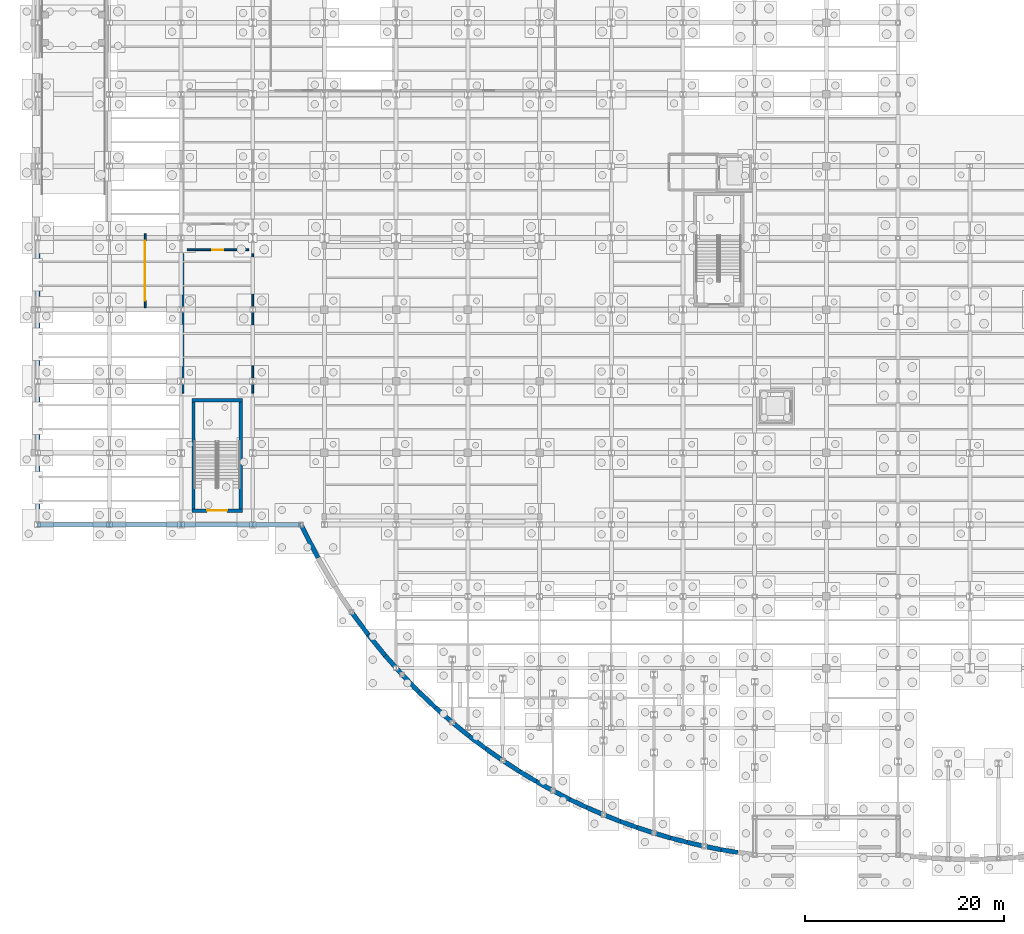
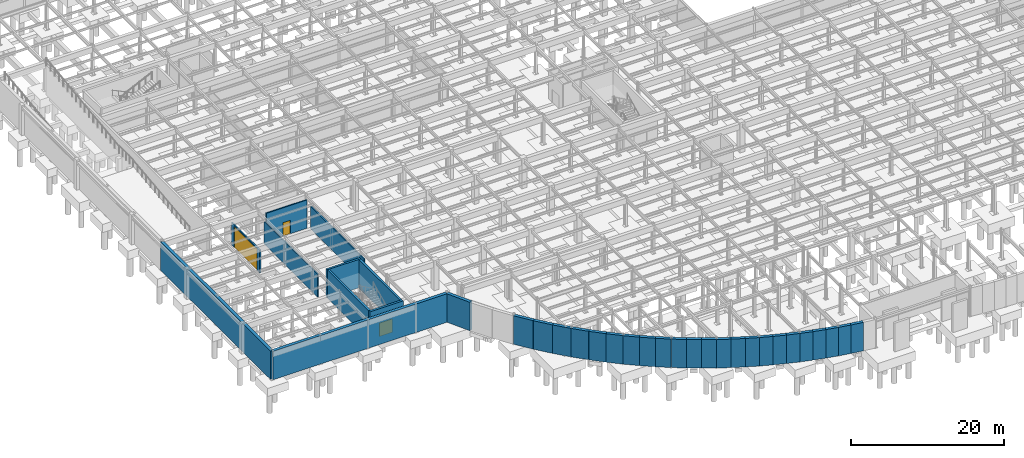
# One storey, part 45 of 64: 34 walls, 3 doors, 3 openings.
"""IFC4 building model written with IfcOpenShell, lengths in metres."""

from ifc_helpers import new_model, si_unit, direction, frame, frame_2d, origin, place, context, subcontext, project, spatial, rectangle, extrude, material, layer, layer_set, type_object, element, fill, save


model = new_model("IFC4")

# Units and contexts
model_context = context("Model", 3, precision=1e-05, world=origin(), true_north=direction((0.0, 1.0)))
body_context = subcontext(model_context, "Body", "Model", "MODEL_VIEW")
ifc_project = project(units=[si_unit("LENGTHUNIT", "METRE"), si_unit("AREAUNIT", "SQUARE_METRE"), si_unit("VOLUMEUNIT", "CUBIC_METRE"), si_unit("PLANEANGLEUNIT", "RADIAN"), si_unit("MASSUNIT", "GRAM", prefix="KILO")], contexts=[model_context])

# Site, building, storey
site_placement = place(None, origin())
site = spatial("IfcSite", under=ifc_project, at=site_placement, CompositionType="ELEMENT")
building_placement = place(site_placement, origin())
building = spatial("IfcBuilding", under=site, at=building_placement, Name="Solvadek Multi-Sports Hall", CompositionType="ELEMENT")
storey_placement = place(building_placement, frame((0.0, 0.0, -4.800048828125)))
storey = spatial("IfcBuildingStorey", under=building, at=storey_placement, Name="B1", CompositionType="ELEMENT", Elevation=-4.800048828125)

# Walls
ifc_material_1 = material(Name="Concrete M40", Category="concrete")
ifc_layer_1 = layer(ifc_material_1, 0.449951171875, Name="Concrete M40")
ifc_layer_set_1 = layer_set([ifc_layer_1], Name="Concrete M40")
wall_type_1 = type_object("IfcWallType", Name="ENV-WAL-RET450", PredefinedType="USERDEFINED", material=ifc_layer_set_1)
wall_1_placement = place(storey_placement, frame((0.0, 20.39990234375, 0.0), z_axis=(0.0, 0.0, 1.0), x_axis=(1.0, 0.0, 0.0)))
element("IfcWall", 1, at=wall_1_placement, inside=storey, type_object=wall_type_1, Name="B1 Basement Retaining Wall #1", ObjectType="RETAININGWALL", PredefinedType="USERDEFINED", context=body_context, shape_type="SweptSolid", body=[
    extrude(rectangle(XDim=26.45458984375, YDim=0.449951171875, at=frame_2d((13.227294921875, 0.0))), origin(), (0.0, 0.0, 1.0), 4.550048828125),
])
wall_2_placement = place(storey_placement, frame((26.45458984375, 20.39990234375, 0.0), z_axis=(0.0, 0.0, 1.0), x_axis=(0.451573699141, -0.89223382263, 0.0)))
element("IfcWall", 2, at=wall_2_placement, inside=storey, type_object=wall_type_1, Name="B1 Basement Retaining Wall #2", ObjectType="RETAININGWALL", PredefinedType="USERDEFINED", context=body_context, shape_type="SweptSolid", body=[
    extrude(rectangle(XDim=3.73583984375, YDim=0.449951171875, at=frame_2d((1.867919921875, 0.0))), origin(), (0.0, 0.0, 1.0), 4.550048828125),
])
wall_3_placement = place(storey_placement, frame((31.51513671875, 11.63232421875, 0.0), z_axis=(0.0, 0.0, 1.0), x_axis=(0.593193181421, -0.805060152731, 0.0)))
element("IfcWall", 3, at=wall_3_placement, inside=storey, type_object=wall_type_1, Name="B1 Basement Retaining Wall #5", ObjectType="RETAININGWALL", PredefinedType="USERDEFINED", context=body_context, shape_type="SweptSolid", body=[
    extrude(rectangle(XDim=2.843994140625, YDim=0.449951171875, at=frame_2d((1.421875, 0.0))), origin(), (0.0, 0.0, 1.0), 4.550048828125),
])
wall_4_placement = place(storey_placement, frame((33.2021484375, 9.3427734375, 0.0), z_axis=(0.0, 0.0, 1.0), x_axis=(0.630654478809, -0.776063739881, 0.0)))
element("IfcWall", 4, at=wall_4_placement, inside=storey, type_object=wall_type_1, Name="B1 Basement Retaining Wall #6", ObjectType="RETAININGWALL", PredefinedType="USERDEFINED", context=body_context, shape_type="SweptSolid", body=[
    extrude(rectangle(XDim=2.674560546875, YDim=0.449951171875, at=frame_2d((1.33740234375, 0.0))), origin(), (0.0, 0.0, 1.0), 4.550048828125),
])
wall_5_placement = place(storey_placement, frame((34.888916015625, 7.26708984375, 0.0), z_axis=(0.0, 0.0, 1.0), x_axis=(0.664775819828, -0.747042909994, 0.0)))
element("IfcWall", 5, at=wall_5_placement, inside=storey, type_object=wall_type_1, Name="B1 Basement Retaining Wall #7", ObjectType="RETAININGWALL", PredefinedType="USERDEFINED", context=body_context, shape_type="SweptSolid", body=[
    extrude(rectangle(XDim=2.537353515625, YDim=0.449951171875, at=frame_2d((1.2685546875, 0.0))), origin(), (0.0, 0.0, 1.0), 4.550048828125),
])
wall_6_placement = place(storey_placement, frame((36.57568359375, 5.37158203125, 0.0), z_axis=(0.0, 0.0, 1.0), x_axis=(0.695991661867, -0.718049863597, 0.0)))
element("IfcWall", 6, at=wall_6_placement, inside=storey, type_object=wall_type_1, Name="B1 Basement Retaining Wall #8", ObjectType="RETAININGWALL", PredefinedType="USERDEFINED", context=body_context, shape_type="SweptSolid", body=[
    extrude(rectangle(XDim=2.423828125, YDim=0.449951171875, at=frame_2d((1.2119140625, 0.0))), origin(), (0.0, 0.0, 1.0), 4.550048828125),
])
wall_7_placement = place(storey_placement, frame((38.2626953125, 3.631103515625, 0.0), z_axis=(0.0, 0.0, 1.0), x_axis=(0.724766292357, -0.688994790592, 0.0)))
element("IfcWall", 7, at=wall_7_placement, inside=storey, type_object=wall_type_1, Name="B1 Basement Retaining Wall #9", ObjectType="RETAININGWALL", PredefinedType="USERDEFINED", context=body_context, shape_type="SweptSolid", body=[
    extrude(rectangle(XDim=2.327392578125, YDim=0.449951171875, at=frame_2d((1.16357421875, 0.0))), origin(), (0.0, 0.0, 1.0), 4.550048828125),
])
wall_8_placement = place(storey_placement, frame((39.949462890625, 2.027587890625, 0.0), z_axis=(0.0, 0.0, 1.0), x_axis=(0.751241671966, -0.660027234516, 0.0)))
element("IfcWall", 8, at=wall_8_placement, inside=storey, type_object=wall_type_1, Name="B1 Basement Retaining Wall #10", ObjectType="RETAININGWALL", PredefinedType="USERDEFINED", context=body_context, shape_type="SweptSolid", body=[
    extrude(rectangle(XDim=2.24560546875, YDim=0.449951171875, at=frame_2d((1.122802734375, 0.0))), origin(), (0.0, 0.0, 1.0), 4.550048828125),
])
wall_9_placement = place(storey_placement, frame((41.636474609375, 0.54541015625, 0.0), z_axis=(0.0, 0.0, 1.0), x_axis=(0.77570515761, -0.631095482837, 0.0)))
element("IfcWall", 9, at=wall_9_placement, inside=storey, type_object=wall_type_1, Name="B1 Basement Retaining Wall #11", ObjectType="RETAININGWALL", PredefinedType="USERDEFINED", context=body_context, shape_type="SweptSolid", body=[
    extrude(rectangle(XDim=2.174560546875, YDim=0.449951171875, at=frame_2d((1.08740234375, 0.0))), origin(), (0.0, 0.0, 1.0), 4.550048828125),
])
wall_10_placement = place(storey_placement, frame((43.3232421875, -0.826904296875, 0.0), z_axis=(0.0, 0.0, 1.0), x_axis=(0.798485781361, -0.60201366842, 0.0)))
element("IfcWall", 10, at=wall_10_placement, inside=storey, type_object=wall_type_1, Name="B1 Basement Retaining Wall #12", ObjectType="RETAININGWALL", PredefinedType="USERDEFINED", context=body_context, shape_type="SweptSolid", body=[
    extrude(rectangle(XDim=2.112548828125, YDim=0.449951171875, at=frame_2d((1.05615234375, 0.0))), origin(), (0.0, 0.0, 1.0), 4.550048828125),
])
wall_11_placement = place(storey_placement, frame((45.010009765625, -2.0986328125, 0.0), z_axis=(0.0, 0.0, 1.0), x_axis=(0.819510409155, -0.57306429769, 0.0)))
element("IfcWall", 11, at=wall_11_placement, inside=storey, type_object=wall_type_1, Name="B1 Basement Retaining Wall #13", ObjectType="RETAININGWALL", PredefinedType="USERDEFINED", context=body_context, shape_type="SweptSolid", body=[
    extrude(rectangle(XDim=2.05859375, YDim=0.449951171875, at=frame_2d((1.029296875, 0.0))), origin(), (0.0, 0.0, 1.0), 4.550048828125),
])
wall_12_placement = place(storey_placement, frame((46.697021484375, -3.2783203125, 0.0), z_axis=(0.0, 0.0, 1.0), x_axis=(0.839045194029, -0.544061726624, 0.0)))
element("IfcWall", 12, at=wall_12_placement, inside=storey, type_object=wall_type_1, Name="B1 Basement Retaining Wall #14", ObjectType="RETAININGWALL", PredefinedType="USERDEFINED", context=body_context, shape_type="SweptSolid", body=[
    extrude(rectangle(XDim=2.01025390625, YDim=0.449951171875, at=frame_2d((1.005126953125, 0.0))), origin(), (0.0, 0.0, 1.0), 4.550048828125),
])
wall_13_placement = place(storey_placement, frame((48.3837890625, -4.3720703125, 0.0), z_axis=(0.0, 0.0, 1.0), x_axis=(0.857164391515, -0.51504291658, 0.0)))
element("IfcWall", 13, at=wall_13_placement, inside=storey, type_object=wall_type_1, Name="B1 Basement Retaining Wall #15", ObjectType="RETAININGWALL", PredefinedType="USERDEFINED", context=body_context, shape_type="SweptSolid", body=[
    extrude(rectangle(XDim=1.968017578125, YDim=0.449951171875, at=frame_2d((0.98388671875, 0.0))), origin(), (0.0, 0.0, 1.0), 4.550048828125),
])
wall_14_placement = place(storey_placement, frame((50.07080078125, -5.3857421875, 0.0), z_axis=(0.0, 0.0, 1.0), x_axis=(0.873906570034, -0.486093928013, 0.0)))
element("IfcWall", 14, at=wall_14_placement, inside=storey, type_object=wall_type_1, Name="B1 Basement Retaining Wall #16", ObjectType="RETAININGWALL", PredefinedType="USERDEFINED", context=body_context, shape_type="SweptSolid", body=[
    extrude(rectangle(XDim=1.93017578125, YDim=0.449951171875, at=frame_2d((0.965087890625, 0.0))), origin(), (0.0, 0.0, 1.0), 4.550048828125),
])
wall_15_placement = place(storey_placement, frame((51.757568359375, -6.323974609375, 0.0), z_axis=(0.0, 0.0, 1.0), x_axis=(0.88942985425, -0.457071694999, 0.0)))
element("IfcWall", 15, at=wall_15_placement, inside=storey, type_object=wall_type_1, Name="B1 Basement Retaining Wall #17", ObjectType="RETAININGWALL", PredefinedType="USERDEFINED", context=body_context, shape_type="SweptSolid", body=[
    extrude(rectangle(XDim=1.896728515625, YDim=0.449951171875, at=frame_2d((0.9482421875, 0.0))), origin(), (0.0, 0.0, 1.0), 4.550048828125),
])
wall_16_placement = place(storey_placement, frame((53.444580078125, -7.19091796875, 0.0), z_axis=(0.0, 0.0, 1.0), x_axis=(0.903721857737, -0.428120081108, 0.0)))
element("IfcWall", 16, at=wall_16_placement, inside=storey, type_object=wall_type_1, Name="B1 Basement Retaining Wall #18", ObjectType="RETAININGWALL", PredefinedType="USERDEFINED", context=body_context, shape_type="SweptSolid", body=[
    extrude(rectangle(XDim=1.866455078125, YDim=0.449951171875, at=frame_2d((0.93310546875, 0.0))), origin(), (0.0, 0.0, 1.0), 4.550048828125),
])
wall_17_placement = place(storey_placement, frame((55.13134765625, -7.989990234375, 0.0), z_axis=(0.0, 0.0, 1.0), x_axis=(0.916920187309, -0.399070632977, 0.0)))
element("IfcWall", 17, at=wall_17_placement, inside=storey, type_object=wall_type_1, Name="B1 Basement Retaining Wall #19", ObjectType="RETAININGWALL", PredefinedType="USERDEFINED", context=body_context, shape_type="SweptSolid", body=[
    extrude(rectangle(XDim=1.839599609375, YDim=0.449951171875, at=frame_2d((0.919921875, 0.0))), origin(), (0.0, 0.0, 1.0), 4.550048828125),
])
wall_18_placement = place(storey_placement, frame((56.818115234375, -8.72412109375, 0.0), z_axis=(0.0, 0.0, 1.0), x_axis=(0.92898576341, -0.370115456826, 0.0)))
element("IfcWall", 18, at=wall_18_placement, inside=storey, type_object=wall_type_1, Name="B1 Basement Retaining Wall #20", ObjectType="RETAININGWALL", PredefinedType="USERDEFINED", context=body_context, shape_type="SweptSolid", body=[
    extrude(rectangle(XDim=1.81591796875, YDim=0.449951171875, at=frame_2d((0.907958984375, 0.0))), origin(), (0.0, 0.0, 1.0), 4.550048828125),
])
wall_19_placement = place(storey_placement, frame((58.505126953125, -9.396240234375, 0.0), z_axis=(0.0, 0.0, 1.0), x_axis=(0.939983948766, -0.341218663121, 0.0)))
element("IfcWall", 19, at=wall_19_placement, inside=storey, type_object=wall_type_1, Name="B1 Basement Retaining Wall #21", ObjectType="RETAININGWALL", PredefinedType="USERDEFINED", context=body_context, shape_type="SweptSolid", body=[
    extrude(rectangle(XDim=1.79443359375, YDim=0.449951171875, at=frame_2d((0.897216796875, 0.0))), origin(), (0.0, 0.0, 1.0), 4.550048828125),
])
wall_20_placement = place(storey_placement, frame((60.19189453125, -10.008544921875, 0.0), z_axis=(0.0, 0.0, 1.0), x_axis=(0.950049221752, -0.312100106133, 0.0)))
element("IfcWall", 20, at=wall_20_placement, inside=storey, type_object=wall_type_1, Name="B1 Basement Retaining Wall #22", ObjectType="RETAININGWALL", PredefinedType="USERDEFINED", context=body_context, shape_type="SweptSolid", body=[
    extrude(rectangle(XDim=1.775634765625, YDim=0.449951171875, at=frame_2d((0.8876953125, 0.0))), origin(), (0.0, 0.0, 1.0), 4.550048828125),
])
wall_21_placement = place(storey_placement, frame((61.87890625, -10.562744140625, 0.0), z_axis=(0.0, 0.0, 1.0), x_axis=(0.959066558996, -0.283180746903, 0.0)))
element("IfcWall", 21, at=wall_21_placement, inside=storey, type_object=wall_type_1, Name="B1 Basement Retaining Wall #23", ObjectType="RETAININGWALL", PredefinedType="USERDEFINED", context=body_context, shape_type="SweptSolid", body=[
    extrude(rectangle(XDim=1.7587890625, YDim=0.449951171875, at=frame_2d((0.87939453125, 0.0))), origin(), (0.0, 0.0, 1.0), 4.550048828125),
])
wall_22_placement = place(storey_placement, frame((63.565673828125, -11.060791015625, 0.0), z_axis=(0.0, 0.0, 1.0), x_axis=(0.967183248543, -0.254079837329, 0.0)))
element("IfcWall", 22, at=wall_22_placement, inside=storey, type_object=wall_type_1, Name="B1 Basement Retaining Wall #24", ObjectType="RETAININGWALL", PredefinedType="USERDEFINED", context=body_context, shape_type="SweptSolid", body=[
    extrude(rectangle(XDim=1.743896484375, YDim=0.449951171875, at=frame_2d((0.8720703125, 0.0))), origin(), (0.0, 0.0, 1.0), 4.550048828125),
])
wall_23_placement = place(storey_placement, frame((65.25244140625, -11.50390625, 0.0), z_axis=(0.0, 0.0, 1.0), x_axis=(0.974317474296, -0.225178727417, 0.0)))
element("IfcWall", 23, at=wall_23_placement, inside=storey, type_object=wall_type_1, Name="B1 Basement Retaining Wall #25", ObjectType="RETAININGWALL", PredefinedType="USERDEFINED", context=body_context, shape_type="SweptSolid", body=[
    extrude(rectangle(XDim=1.7314453125, YDim=0.449951171875, at=frame_2d((0.86572265625, 0.0))), origin(), (0.0, 0.0, 1.0), 4.550048828125),
])
wall_24_placement = place(storey_placement, frame((66.939453125, -11.893798828125, 0.0), z_axis=(0.0, 0.0, 1.0), x_axis=(0.980547910492, -0.196279890029, 0.0)))
element("IfcWall", 24, at=wall_24_placement, inside=storey, type_object=wall_type_1, Name="B1 Basement Retaining Wall #26", ObjectType="RETAININGWALL", PredefinedType="USERDEFINED", context=body_context, shape_type="SweptSolid", body=[
    extrude(rectangle(XDim=1.72021484375, YDim=0.449951171875, at=frame_2d((0.860107421875, 0.0))), origin(), (0.0, 0.0, 1.0), 4.550048828125),
])
wall_25_placement = place(storey_placement, frame((68.626220703125, -12.2314453125, 0.0), z_axis=(0.0, 0.0, 1.0), x_axis=(0.985915435639, -0.167244592643, 0.0)))
element("IfcWall", 25, at=wall_25_placement, inside=storey, type_object=wall_type_1, Name="B1 Basement Retaining Wall #27", ObjectType="RETAININGWALL", PredefinedType="USERDEFINED", context=body_context, shape_type="SweptSolid", body=[
    extrude(rectangle(XDim=1.7109375, YDim=0.449951171875, at=frame_2d((0.85546875, 0.0))), origin(), (0.0, 0.0, 1.0), 4.550048828125),
])
wall_26_placement = place(storey_placement, frame((0.0, 49.199951171875, 0.0), z_axis=(0.0, 0.0, 1.0), x_axis=(0.0, -1.0, 0.0)))
element("IfcWall", 26, at=wall_26_placement, inside=storey, type_object=wall_type_1, Name="B1 Basement Retaining Wall #70", ObjectType="RETAININGWALL", PredefinedType="USERDEFINED", context=body_context, shape_type="SweptSolid", body=[
    extrude(rectangle(XDim=28.800048828125, YDim=0.449951171875, at=frame_2d((14.39990234375, 0.0))), origin(), (0.0, 0.0, 1.0), 4.550048828125),
])

# Wall, opening, door
ifc_material_2 = material(Name="Autoclaved aerated concrete blockwork", Category="masonry")
ifc_layer_2 = layer(ifc_material_2, 0.179931640625, Name="Autoclaved aerated concrete blockwork")
ifc_layer_set_2 = layer_set([ifc_layer_2], Name="Autoclaved aerated concrete blockwork")
wall_type_2 = type_object("IfcWallType", Name="INT-WAL-PRT180", PredefinedType="PARTITIONING", material=ifc_layer_set_2)
wall_27_placement = place(storey_placement, frame((10.800048828125, 42.199951171875, 0.0), z_axis=(0.0, 0.0, 1.0), x_axis=(0.0, 1.0, 0.0)))
wall_27 = element("IfcWall", 27, at=wall_27_placement, inside=storey, type_object=wall_type_2, Name="B1 Car Park Ramp Portal Wall #1", PredefinedType="PARTITIONING", context=body_context, shape_type="SweptSolid", body=[
    extrude(rectangle(XDim=7.400146484375, YDim=0.179931640625, at=frame_2d((3.7001953125, 0.0))), origin(), (0.0, 0.0, 1.0), 3.630126953125),
])
opening_1_placement = place(wall_27_placement, frame((0.699951171875, 0.0, 0.0)))
opening_1 = element("IfcOpeningElement", 28, at=opening_1_placement, cuts=wall_27, Name="Opening VG-01", PredefinedType="OPENING", context=body_context, shape_type="SweptSolid", body=[
    extrude(rectangle(XDim=6.0, YDim=3.39990234375, at=frame_2d((3.0, 1.699951171875))), frame((0.0, 0.099853515625, 0.0), z_axis=(0.0, -1.0, 0.0), x_axis=(1.0, 0.0, 0.0)), (0.0, 0.0, 1.0), 0.199951171875),
])
ifc_material_3 = material(Name="Steel E250 (250 MPa)", Category="steel")
door_type_1 = type_object("IfcDoorType", Name="ENV-DOR-VG600X340", OperationType="ROLLINGUP", PredefinedType="GATE", material=ifc_material_3)
door_1_placement = place(opening_1_placement, origin())
door_1 = element("IfcDoor", 29, at=door_1_placement, inside=storey, type_object=door_type_1, Name="B1 West Car Park Ramp Portal Gate", OperationType="ROLLINGUP", OverallHeight=3.39990234375, OverallWidth=6.0, PredefinedType="GATE", context=body_context, shape_type="SweptSolid", body=[
    extrude(rectangle(XDim=6.0, YDim=3.39990234375, at=frame_2d((3.0, 1.699951171875))), frame((0.0, 0.02490234375, 0.0), z_axis=(0.0, -1.0, 0.0), x_axis=(1.0, 0.0, 0.0)), (0.0, 0.0, 1.0), 0.050048828125),
])
fill(opening_1, door_1)

wall_28_placement = place(storey_placement, frame((15.02001953125, 48.0, 0.0), z_axis=(0.0, 0.0, 1.0), x_axis=(1.0, 0.0, 0.0)))
wall_28 = element("IfcWall", 30, at=wall_28_placement, inside=storey, type_object=wall_type_2, Name="B1 Partition Wall B1-03 N", PredefinedType="PARTITIONING", context=body_context, shape_type="SweptSolid", body=[
    extrude(rectangle(XDim=6.155029296875, YDim=0.179931640625, at=frame_2d((3.07763671875, 0.0))), origin(), (0.0, 0.0, 1.0), 4.53515625),
])
opening_2_placement = place(wall_28_placement, frame((2.527587890625, 0.0, 0.0)))
opening_2 = element("IfcOpeningElement", 31, at=opening_2_placement, cuts=wall_28, Name="Opening FD60", PredefinedType="OPENING", context=body_context, shape_type="SweptSolid", body=[
    extrude(rectangle(XDim=1.10009765625, YDim=2.14990234375, at=frame_2d((0.550048828125, 1.074951171875))), frame((0.0, 0.099853515625, 0.0), z_axis=(0.0, -1.0, 0.0), x_axis=(1.0, 0.0, 0.0)), (0.0, 0.0, 1.0), 0.199951171875),
])
door_type_2 = type_object("IfcDoorType", Name="INT-DOR-FD110X215", OperationType="NOTDEFINED", PredefinedType="DOOR", material=ifc_material_3)
door_2_placement = place(opening_2_placement, frame((1.10009765625, 0.0, 0.0), z_axis=(0.0, 0.0, 1.0), x_axis=(-1.0, 0.0, 0.0)))
door_2 = element("IfcDoor", 32, at=door_2_placement, inside=storey, type_object=door_type_2, Name="B1 B1-03 Door #18", OperationType="SINGLE_SWING_LEFT", OverallHeight=2.14990234375, OverallWidth=1.10009765625, PredefinedType="DOOR", context=body_context, shape_type="SweptSolid", body=[
    extrude(rectangle(XDim=1.10009765625, YDim=2.14990234375, at=frame_2d((0.550048828125, 1.074951171875))), frame((0.0, 0.02490234375, 0.0), z_axis=(0.0, -1.0, 0.0), x_axis=(1.0, 0.0, 0.0)), (0.0, 0.0, 1.0), 0.050048828125),
])
fill(opening_2, door_2)

# Walls
for number, where, z_axis, x_axis, name in (
    (33, (14.60009765625, 33.6201171875, 0.0), (0.0, 0.0, 1.0), (0.0, 1.0, 0.0), "B1 Partition Wall B1-03 W"),
    (34, (21.594970703125, 33.6201171875, 0.0), (0.0, 0.0, 1.0), (0.0, 1.0, 0.0), "B1 Partition Wall B1-03 E"),
):
    element("IfcWall", number, at=place(storey_placement, frame(where, z_axis=z_axis, x_axis=x_axis)), inside=storey, type_object=wall_type_2, Name=name, PredefinedType="PARTITIONING", context=body_context, shape_type="SweptSolid", body=[
        extrude(rectangle(XDim=13.9599609375, YDim=0.179931640625, at=frame_2d((6.97998046875, 0.0))), origin(), (0.0, 0.0, 1.0), 3.630126953125),
    ])

# Wall, opening, door
ifc_layer_3 = layer(ifc_material_1, 0.320068359375, Name="Concrete M40")
ifc_layer_set_3 = layer_set([ifc_layer_3], Name="Concrete M40")
wall_type_3 = type_object("IfcWallType", Name="INT-WAL-SHR320", PredefinedType="SHEAR", material=ifc_layer_set_3)
wall_29_placement = place(storey_placement, frame((15.489990234375, 21.800048828125, 0.0), z_axis=(0.0, 0.0, 1.0), x_axis=(1.0, 0.0, 0.0)))
wall_29 = element("IfcWall", 35, at=wall_29_placement, inside=storey, type_object=wall_type_3, Name="B1 Stair ST-01 Shear Wall S", PredefinedType="SHEAR", context=body_context, shape_type="SweptSolid", body=[
    extrude(rectangle(XDim=5.070068359375, YDim=0.320068359375, at=frame_2d((2.53515625, 0.0))), origin(), (0.0, 0.0, 1.0), 4.550048828125),
])
opening_3_placement = place(wall_29_placement, frame((1.534912109375, 0.0, 0.0)))
opening_3 = element("IfcOpeningElement", 36, at=opening_3_placement, cuts=wall_29, Name="Opening FD120", PredefinedType="OPENING", context=body_context, shape_type="SweptSolid", body=[
    extrude(rectangle(XDim=2.0, YDim=2.14990234375, at=frame_2d((1.0, 1.074951171875))), frame((0.0, 0.169921875, 0.0), z_axis=(0.0, -1.0, 0.0), x_axis=(1.0, 0.0, 0.0)), (0.0, 0.0, 1.0), 0.340087890625),
])
door_type_3 = type_object("IfcDoorType", Name="INT-DOR-FD200X215", OperationType="DOUBLE_DOOR_SINGLE_SWING", PredefinedType="DOOR", material=ifc_material_3)
door_3_placement = place(opening_3_placement, origin())
door_3 = element("IfcDoor", 37, at=door_3_placement, inside=storey, type_object=door_type_3, Name="B1 Stair ST-01 Fire Door", OperationType="DOUBLE_DOOR_SINGLE_SWING", OverallHeight=2.14990234375, OverallWidth=2.0, PredefinedType="DOOR", context=body_context, shape_type="SweptSolid", body=[
    extrude(rectangle(XDim=2.0, YDim=2.14990234375, at=frame_2d((1.0, 1.074951171875))), frame((0.0, 0.02490234375, 0.0), z_axis=(0.0, -1.0, 0.0), x_axis=(1.0, 0.0, 0.0)), (0.0, 0.0, 1.0), 0.050048828125),
])
fill(opening_3, door_3)

# Walls
wall_30_placement = place(storey_placement, frame((15.489990234375, 32.89990234375, 0.0), z_axis=(0.0, 0.0, 1.0), x_axis=(1.0, 0.0, 0.0)))
element("IfcWall", 38, at=wall_30_placement, inside=storey, type_object=wall_type_3, Name="B1 Stair ST-01 Shear Wall N", PredefinedType="SHEAR", context=body_context, shape_type="SweptSolid", body=[
    extrude(rectangle(XDim=5.070068359375, YDim=0.320068359375, at=frame_2d((2.53515625, 0.0))), origin(), (0.0, 0.0, 1.0), 4.550048828125),
])
for number, where, z_axis, x_axis, name in (
    (39, (15.64990234375, 21.9599609375, 0.0), (0.0, 0.0, 1.0), (0.0, 1.0, 0.0), "B1 Stair ST-01 Shear Wall W"),
    (40, (20.39990234375, 21.9599609375, 0.0), (0.0, 0.0, 1.0), (0.0, 1.0, 0.0), "B1 Stair ST-01 Shear Wall E"),
):
    element("IfcWall", number, at=place(storey_placement, frame(where, z_axis=z_axis, x_axis=x_axis)), inside=storey, type_object=wall_type_3, Name=name, PredefinedType="SHEAR", context=body_context, shape_type="SweptSolid", body=[
        extrude(rectangle(XDim=10.780029296875, YDim=0.320068359375, at=frame_2d((5.39013671875, 0.0))), origin(), (0.0, 0.0, 1.0), 4.550048828125),
    ])

save(model, "model.ifc")
